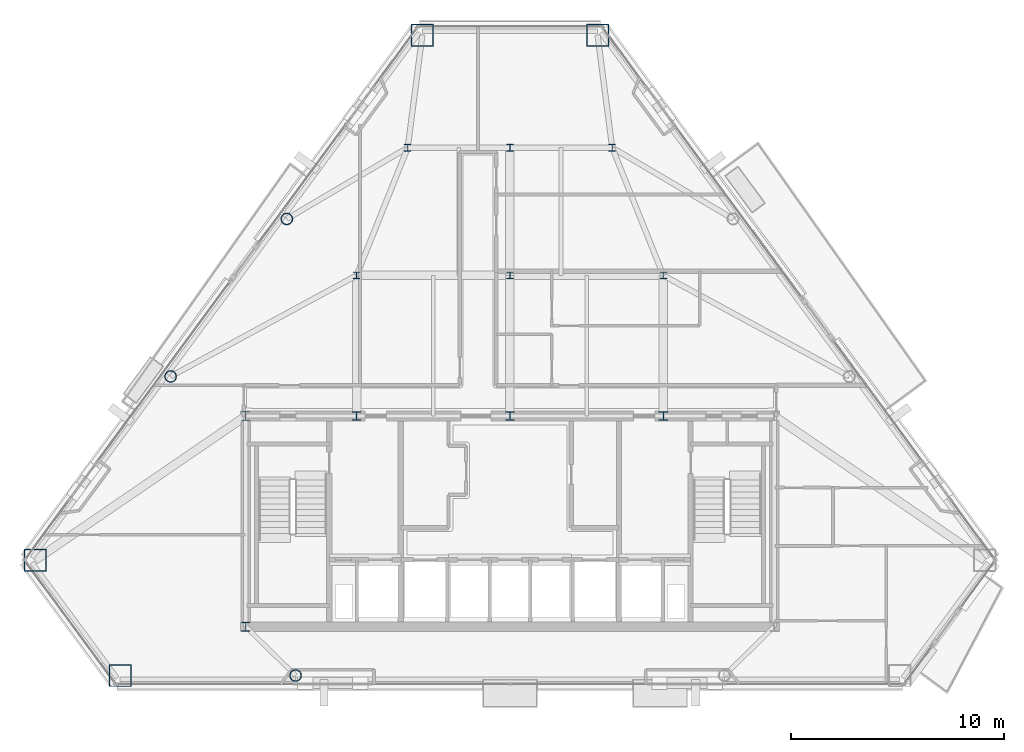
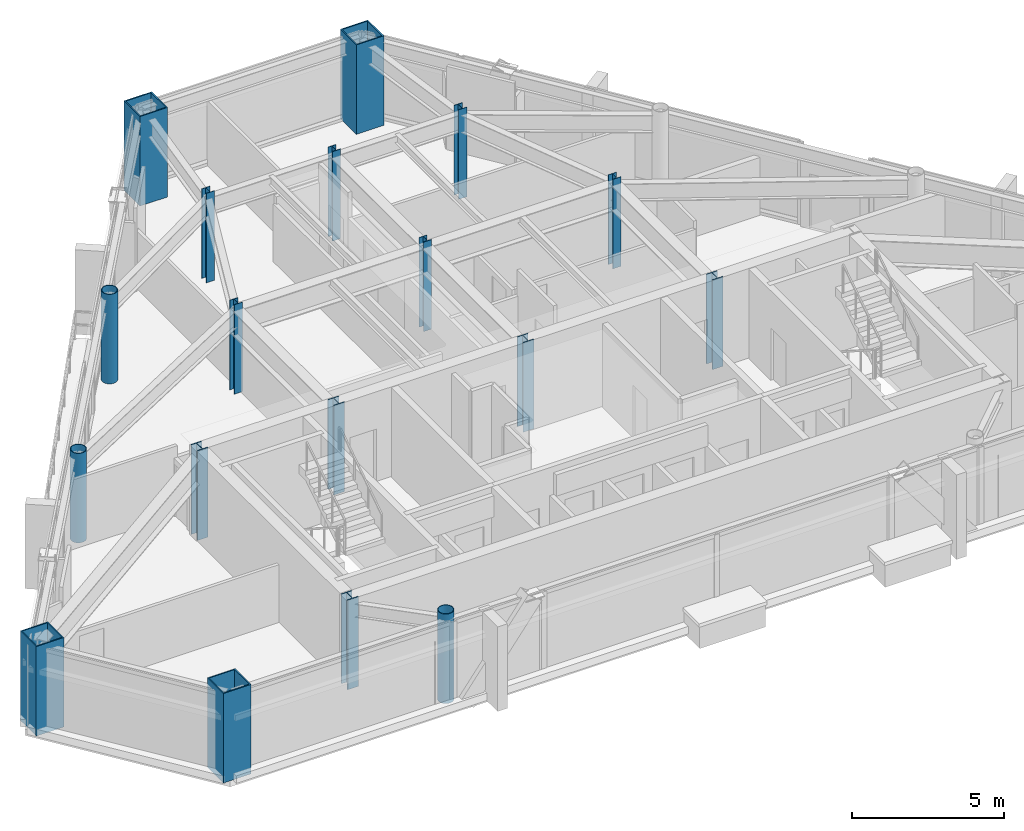
# One storey, part 1 of 11: 18 columns.
"""IFC4 building model written with IfcOpenShell, lengths in metres."""

from ifc_helpers import new_model, si_unit, direction, frame, origin, origin_2d, place, context, subcontext, project, spatial, hollow_rectangle, hollow_circle, i_section, extrude, material, material_profile, profile_set, type_object, element, save


model = new_model("IFC4")

# Units and contexts
model_context = context("Model", 3, precision=1e-05, world=origin(), true_north=direction((0.0, 1.0)))
body_context = subcontext(model_context, "Body", "Model", "MODEL_VIEW")
ifc_project = project(units=[si_unit("LENGTHUNIT", "METRE"), si_unit("AREAUNIT", "SQUARE_METRE"), si_unit("VOLUMEUNIT", "CUBIC_METRE"), si_unit("PLANEANGLEUNIT", "RADIAN"), si_unit("MASSUNIT", "GRAM", prefix="KILO")], contexts=[model_context])

# Site, building, storey
site_placement = place(None, origin())
site = spatial("IfcSite", under=ifc_project, at=site_placement, CompositionType="ELEMENT")
building_placement = place(site_placement, origin())
building = spatial("IfcBuilding", under=site, at=building_placement, Name="Talgorran Terracotta Tower", CompositionType="ELEMENT")
storey_placement = place(building_placement, frame((0.0, 0.0, 178.5)))
storey = spatial("IfcBuildingStorey", under=building, at=storey_placement, Name="L46", CompositionType="ELEMENT", Elevation=178.5)

# Columns
ifc_material_1 = material(Name="Steel S355 (300PLUS)", Category="steel")
ifc_material_profile_1 = material_profile(ifc_material_1, i_section(OverallWidth=0.306884765625, OverallDepth=0.314453125, WebThickness=0.011962890625, FlangeThickness=0.018798828125, at=origin_2d()), Name="310UC118")
ifc_profile_set_1 = profile_set([ifc_material_profile_1], Name="Steel S355 (300PLUS)")
column_type_1 = type_object("IfcColumnType", Name="COL_310UC118", PredefinedType="COLUMN", material=ifc_profile_set_1)
for number, where, z_axis, x_axis, name in (
    (1, (-7.199951171875, 2.39990234375, 0.0), (0.0, 0.0, 1.0), (1.0, 0.0, 0.0), "L46 Interior Gravity Column IC1"),
    (2, (0.0, 2.39990234375, 0.0), (0.0, 0.0, 1.0), (1.0, 0.0, 0.0), "L46 Interior Gravity Column IC2"),
    (3, (7.199951171875, 2.39990234375, 0.0), (0.0, 0.0, 1.0), (1.0, 0.0, 0.0), "L46 Interior Gravity Column IC3"),
    (4, (-4.800048828125, 8.39990234375, 0.0), (0.0, 0.0, 1.0), (1.0, 0.0, 0.0), "L46 Interior Gravity Column IC4"),
    (5, (0.0, 8.39990234375, 0.0), (0.0, 0.0, 1.0), (1.0, 0.0, 0.0), "L46 Interior Gravity Column IC5"),
    (6, (4.800048828125, 8.39990234375, 0.0), (0.0, 0.0, 1.0), (1.0, 0.0, 0.0), "L46 Interior Gravity Column IC6"),
):
    element("IfcColumn", number, at=place(storey_placement, frame(where, z_axis=z_axis, x_axis=x_axis)), inside=storey, type_object=column_type_1, Name=name, PredefinedType="COLUMN", context=body_context, shape_type="SweptSolid", body=[
        extrude(i_section(OverallWidth=0.306884765625, OverallDepth=0.314453125, WebThickness=0.011962890625, FlangeThickness=0.018798828125, at=origin_2d()), origin(), (0.0, 0.0, 1.0), 3.60009765625),
    ])
ifc_material_profile_2 = material_profile(ifc_material_1, i_section(OverallWidth=0.39990234375, OverallDepth=0.43994140625, WebThickness=0.028076171875, FlangeThickness=0.0400390625, at=origin_2d()), Name="400WC328")
ifc_profile_set_2 = profile_set([ifc_material_profile_2], Name="Steel S355 (300PLUS)")
column_type_2 = type_object("IfcColumnType", Name="COL_400WC328", PredefinedType="COLUMN", material=ifc_profile_set_2)
for number, where, z_axis, x_axis, name in (
    (7, (-12.39990234375, -14.10009765625, 0.0), (0.0, 0.0, 1.0), (1.0, 0.0, 0.0), "L46 Core Boundary Column CC1"),
    (8, (-12.39990234375, -4.199951171875, 0.0), (0.0, 0.0, 1.0), (1.0, 0.0, 0.0), "L46 Core Boundary Column CC4"),
):
    element("IfcColumn", number, at=place(storey_placement, frame(where, z_axis=z_axis, x_axis=x_axis)), inside=storey, type_object=column_type_2, Name=name, PredefinedType="COLUMN", context=body_context, shape_type="SweptSolid", body=[
        extrude(i_section(OverallWidth=0.39990234375, OverallDepth=0.43994140625, WebThickness=0.028076171875, FlangeThickness=0.0400390625, at=origin_2d()), origin(), (0.0, 0.0, 1.0), 3.60009765625),
    ])
ifc_material_2 = material(Name="Steel Grade 350 (350L0)", Category="steel")
ifc_material_profile_3 = material_profile(ifc_material_2, hollow_rectangle(XDim=1.050048828125, YDim=1.050048828125, WallThickness=0.044921875, at=origin_2d()), Name="CFT1050X1050X45")
ifc_profile_set_3 = profile_set([ifc_material_profile_3], Name="Steel Grade 350 (350L0)")
column_type_3 = type_object("IfcColumnType", Name="COL_CFT_1050", PredefinedType="COLUMN", material=ifc_profile_set_3)
for number, where, z_axis, x_axis, name in (
    (9, (-22.2939453125, -10.97021484375, 0.0), (0.0, 0.0, 1.0), (1.0, 0.0, 0.0), "L46 Corner CFT Mega-Column MC1"),
    (10, (-18.30078125, -16.385498046875, 0.0), (0.0, 0.0, 1.0), (1.0, 0.0, 0.0), "L46 Corner CFT Mega-Column MC2"),
    (11, (4.114013671875, 13.68359375, 0.0), (0.0, 0.0, 1.0), (1.0, 0.0, 0.0), "L46 Corner CFT Mega-Column MC5"),
    (12, (-4.114013671875, 13.68359375, 0.0), (0.0, 0.0, 1.0), (1.0, 0.0, 0.0), "L46 Corner CFT Mega-Column MC6"),
):
    element("IfcColumn", number, at=place(storey_placement, frame(where, z_axis=z_axis, x_axis=x_axis)), inside=storey, type_object=column_type_3, Name=name, PredefinedType="COLUMN", context=body_context, shape_type="SweptSolid", body=[
        extrude(hollow_rectangle(XDim=1.050048828125, YDim=1.050048828125, WallThickness=0.044921875, at=origin_2d()), origin(), (0.0, 0.0, 1.0), 3.60009765625),
    ])
ifc_material_profile_4 = material_profile(ifc_material_2, hollow_circle(Radius=0.27490234375, WallThickness=0.02392578125, at=origin_2d()), Name="CHS550X24")
ifc_profile_set_4 = profile_set([ifc_material_profile_4], Name="Steel Grade 350 (350L0)")
column_type_4 = type_object("IfcColumnType", Name="COL_CHS_550", PredefinedType="COLUMN", material=ifc_profile_set_4)
for number, where, z_axis, x_axis, name in (
    (13, (-10.0654296875, -16.385498046875, 0.0), (0.0, 0.0, 1.0), (1.0, 0.0, 0.0), "L46 Facet Perimeter Column FC1"),
    (14, (-10.47705078125, 5.0546875, 0.0), (0.0, 0.0, 1.0), (1.0, 0.0, 0.0), "L46 Facet Perimeter Column FC5"),
    (15, (-15.930908203125, -2.34130859375, 0.0), (0.0, 0.0, 1.0), (1.0, 0.0, 0.0), "L46 Facet Perimeter Column FC6"),
):
    element("IfcColumn", number, at=place(storey_placement, frame(where, z_axis=z_axis, x_axis=x_axis)), inside=storey, type_object=column_type_4, Name=name, PredefinedType="COLUMN", context=body_context, shape_type="SweptSolid", body=[
        extrude(hollow_circle(Radius=0.27490234375, WallThickness=0.02392578125, at=origin_2d()), origin(), (0.0, 0.0, 1.0), 3.60009765625),
    ])
ifc_material_profile_5 = material_profile(ifc_material_1, i_section(OverallWidth=0.405029296875, OverallDepth=0.4140625, WebThickness=0.02197265625, FlangeThickness=0.031982421875, at=origin_2d()), Name="400WC270")
ifc_profile_set_5 = profile_set([ifc_material_profile_5], Name="Steel S355 (300PLUS)")
column_type_5 = type_object("IfcColumnType", Name="COL_PIL_400WC270", PredefinedType="PILASTER", material=ifc_profile_set_5)
for number, where, z_axis, x_axis, name in (
    (16, (-7.199951171875, -4.199951171875, 0.0), (0.0, 0.0, 1.0), (1.0, 0.0, 0.0), "L46 Core Shear Pilaster CP1"),
    (17, (0.0, -4.199951171875, 0.0), (0.0, 0.0, 1.0), (1.0, 0.0, 0.0), "L46 Core Shear Pilaster CP2"),
    (18, (7.199951171875, -4.199951171875, 0.0), (0.0, 0.0, 1.0), (1.0, 0.0, 0.0), "L46 Core Shear Pilaster CP3"),
):
    element("IfcColumn", number, at=place(storey_placement, frame(where, z_axis=z_axis, x_axis=x_axis)), inside=storey, type_object=column_type_5, Name=name, PredefinedType="PILASTER", context=body_context, shape_type="SweptSolid", body=[
        extrude(i_section(OverallWidth=0.405029296875, OverallDepth=0.4140625, WebThickness=0.02197265625, FlangeThickness=0.031982421875, at=origin_2d()), origin(), (0.0, 0.0, 1.0), 3.60009765625),
    ])

save(model, "model.ifc")
